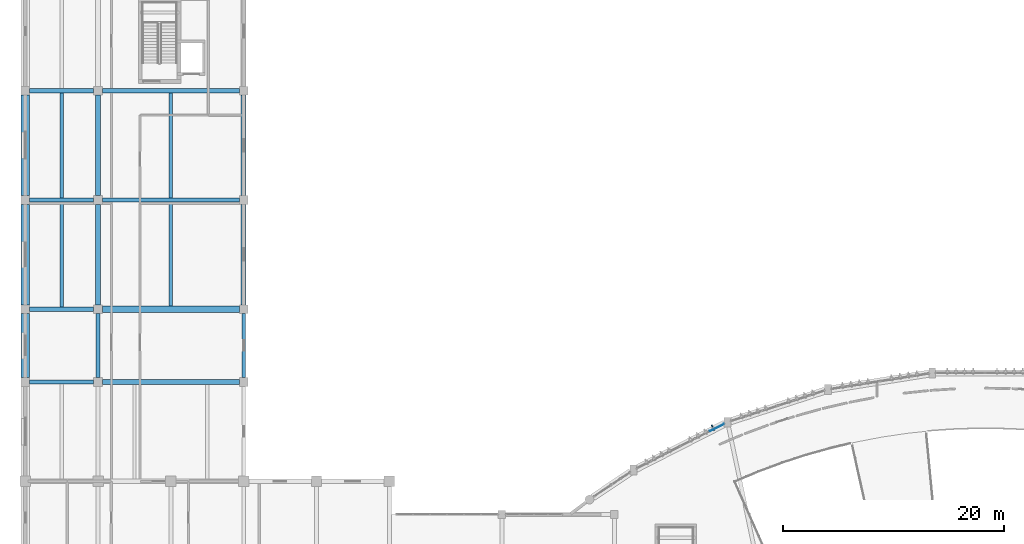
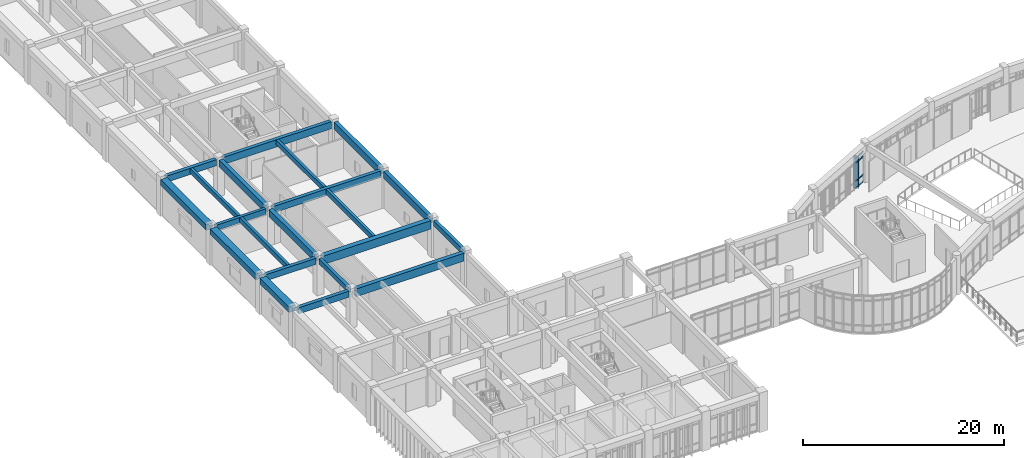
# One storey, part 11 of 65: 21 beams, 5 members, 1 element without a shape of its own.
"""IFC4 building model written with IfcOpenShell, lengths in metres."""

from ifc_helpers import new_model, si_unit, direction, frame, origin, origin_2d, place, context, subcontext, project, spatial, rectangle, extrude, material, layer, layer_set, material_profile, profile_set, type_object, element, aggregate, save


model = new_model("IFC4")

# Units and contexts
model_context = context("Model", 3, precision=1e-05, world=origin(), true_north=direction((0.0, 1.0)))
body_context = subcontext(model_context, "Body", "Model", "MODEL_VIEW")
ifc_project = project(units=[si_unit("LENGTHUNIT", "METRE"), si_unit("AREAUNIT", "SQUARE_METRE"), si_unit("VOLUMEUNIT", "CUBIC_METRE"), si_unit("PLANEANGLEUNIT", "RADIAN"), si_unit("MASSUNIT", "GRAM", prefix="KILO")], contexts=[model_context])

# Site, building, storey
site_placement = place(None, origin())
site = spatial("IfcSite", under=ifc_project, at=site_placement, CompositionType="ELEMENT")
building_placement = place(site_placement, origin())
building = spatial("IfcBuilding", under=site, at=building_placement, Name="Miralva Faculty of Natural Sciences", CompositionType="ELEMENT")
storey_placement = place(building_placement, frame((0.0, 0.0, 10.199951171875)))
storey = spatial("IfcBuildingStorey", under=building, at=storey_placement, Name="L02", CompositionType="ELEMENT", Elevation=10.199951171875)

# Beams
ifc_material_1 = material(Name="Concrete C40/50", Category="concrete")
ifc_material_profile_1 = material_profile(ifc_material_1, rectangle(XDim=0.449951171875, YDim=0.85009765625, at=origin_2d()), Name="RC 450x850")
ifc_profile_set_1 = profile_set([ifc_material_profile_1], Name="Concrete C40/50")
beam_type_1 = type_object("IfcBeamType", Name="BM-B01", PredefinedType="BEAM", material=ifc_profile_set_1)
for number, where, z_axis, x_axis, name in (
    (1, (9.60009765625, 46.0, 4.054931640625), (0.0, 1.0, 0.0), (-1.0, 0.0, 0.0), "Girder NS L02-88"),
    (2, (9.60009765625, 55.89990234375, 4.054931640625), (0.0, 1.0, 0.0), (-1.0, 0.0, 0.0), "Girder NS L02-89"),
    (3, (22.800048828125, 46.0, 4.054931640625), (0.0, 1.0, 0.0), (-1.0, 0.0, 0.0), "Girder NS L02-104"),
    (4, (22.800048828125, 55.89990234375, 4.054931640625), (0.0, 1.0, 0.0), (-1.0, 0.0, 0.0), "Girder NS L02-105"),
):
    element("IfcBeam", number, at=place(storey_placement, frame(where, z_axis=z_axis, x_axis=x_axis)), inside=storey, type_object=beam_type_1, Name=name, PredefinedType="BEAM", context=body_context, shape_type="SweptSolid", body=[
        extrude(rectangle(XDim=0.449951171875, YDim=0.85009765625, at=origin_2d()), origin(), (0.0, 0.0, 1.0), 9.10009765625),
    ])
ifc_material_profile_2 = material_profile(ifc_material_1, rectangle(XDim=0.39990234375, YDim=0.800048828125, at=origin_2d()), Name="RC 400x800")
ifc_profile_set_2 = profile_set([ifc_material_profile_2], Name="Concrete C40/50")
beam_type_2 = type_object("IfcBeamType", Name="BM-B02", PredefinedType="BEAM", material=ifc_profile_set_2)
beam_1_placement = place(storey_placement, frame((10.0, 55.5, 4.080078125), z_axis=(1.0, 0.0, 0.0), x_axis=(0.0, 1.0, 0.0)))
element("IfcBeam", 5, at=beam_1_placement, inside=storey, type_object=beam_type_2, Name="Girder EW L02-46", PredefinedType="BEAM", context=body_context, shape_type="SweptSolid", body=[
    extrude(rectangle(XDim=0.39990234375, YDim=0.800048828125, at=origin_2d()), origin(), (0.0, 0.0, 1.0), 12.39990234375),
])
ifc_material_profile_3 = material_profile(ifc_material_1, rectangle(XDim=0.39990234375, YDim=0.75, at=origin_2d()), Name="RC 400x750")
ifc_profile_set_3 = profile_set([ifc_material_profile_3], Name="Concrete C40/50")
beam_type_3 = type_object("IfcBeamType", Name="BM-B03", PredefinedType="BEAM", material=ifc_profile_set_3)
for number, where, z_axis, x_axis, name in (
    (6, (3.39990234375, 39.0, 4.10498046875), (1.0, 0.0, 0.0), (0.0, 1.0, 0.0), "Girder EW L02-34"),
    (7, (3.39990234375, 45.60009765625, 4.10498046875), (1.0, 0.0, 0.0), (0.0, 1.0, 0.0), "Girder EW L02-40"),
    (8, (3.39990234375, 65.39990234375, 4.10498046875), (1.0, 0.0, 0.0), (0.0, 1.0, 0.0), "Girder EW L02-50"),
):
    element("IfcBeam", number, at=place(storey_placement, frame(where, z_axis=z_axis, x_axis=x_axis)), inside=storey, type_object=beam_type_3, Name=name, PredefinedType="BEAM", context=body_context, shape_type="SweptSolid", body=[
        extrude(rectangle(XDim=0.39990234375, YDim=0.75, at=origin_2d()), origin(), (0.0, 0.0, 1.0), 5.800048828125),
    ])
ifc_material_profile_4 = material_profile(ifc_material_1, rectangle(XDim=0.35009765625, YDim=0.64990234375, at=origin_2d()), Name="RC 350x650")
ifc_profile_set_4 = profile_set([ifc_material_profile_4], Name="Concrete C40/50")
beam_type_4 = type_object("IfcBeamType", Name="BM-B05", PredefinedType="BEAM", material=ifc_profile_set_4)
for number, where, z_axis, x_axis, name in (
    (9, (9.60009765625, 39.39990234375, 4.155029296875), (0.0, 1.0, 0.0), (-1.0, 0.0, 0.0), "Girder NS L02-87"),
    (10, (22.800048828125, 39.39990234375, 4.155029296875), (0.0, 1.0, 0.0), (-1.0, 0.0, 0.0), "Girder NS L02-103"),
):
    element("IfcBeam", number, at=place(storey_placement, frame(where, z_axis=z_axis, x_axis=x_axis)), inside=storey, type_object=beam_type_4, Name=name, PredefinedType="BEAM", context=body_context, shape_type="SweptSolid", body=[
        extrude(rectangle(XDim=0.35009765625, YDim=0.64990234375, at=origin_2d()), origin(), (0.0, 0.0, 1.0), 5.800048828125),
    ])
ifc_material_profile_5 = material_profile(ifc_material_1, rectangle(XDim=0.340087890625, YDim=0.679931640625, at=origin_2d()), Name="RC 340x680")
ifc_profile_set_5 = profile_set([ifc_material_profile_5], Name="Concrete C40/50")
beam_type_5 = type_object("IfcBeamType", Name="BM-BG04", PredefinedType="BEAM", material=ifc_profile_set_5)
beam_2_placement = place(storey_placement, frame((3.39990234375, 55.5, 4.14013671875), z_axis=(1.0, 0.0, 0.0), x_axis=(0.0, 1.0, 0.0)))
element("IfcBeam", 11, at=beam_2_placement, inside=storey, type_object=beam_type_5, Name="Girder EW L02-45", PredefinedType="BEAM", context=body_context, shape_type="SweptSolid", body=[
    extrude(rectangle(XDim=0.340087890625, YDim=0.679931640625, at=origin_2d()), origin(), (0.0, 0.0, 1.0), 5.800048828125),
])
ifc_material_profile_6 = material_profile(ifc_material_1, rectangle(XDim=0.39990234375, YDim=0.8798828125, at=origin_2d()), Name="RC 400x880")
ifc_profile_set_6 = profile_set([ifc_material_profile_6], Name="Concrete C40/50")
beam_type_6 = type_object("IfcBeamType", Name="BM-BG10", PredefinedType="BEAM", material=ifc_profile_set_6)
beam_3_placement = place(storey_placement, frame((10.0, 65.39990234375, 4.0400390625), z_axis=(1.0, 0.0, 0.0), x_axis=(0.0, 1.0, 0.0)))
element("IfcBeam", 12, at=beam_3_placement, inside=storey, type_object=beam_type_6, Name="Girder EW L02-51", PredefinedType="BEAM", context=body_context, shape_type="SweptSolid", body=[
    extrude(rectangle(XDim=0.39990234375, YDim=0.8798828125, at=origin_2d()), origin(), (0.0, 0.0, 1.0), 12.39990234375),
])
ifc_material_profile_7 = material_profile(ifc_material_1, rectangle(XDim=0.4599609375, YDim=0.9599609375, at=origin_2d()), Name="RC 460x960")
ifc_profile_set_7 = profile_set([ifc_material_profile_7], Name="Concrete C40/50")
beam_type_7 = type_object("IfcBeamType", Name="BM-BG16", PredefinedType="BEAM", material=ifc_profile_set_7)
beam_4_placement = place(storey_placement, frame((10.0, 39.0, 4.0), z_axis=(1.0, 0.0, 0.0), x_axis=(0.0, 1.0, 0.0)))
element("IfcBeam", 13, at=beam_4_placement, inside=storey, type_object=beam_type_7, Name="Girder EW L02-35", PredefinedType="BEAM", context=body_context, shape_type="SweptSolid", body=[
    extrude(rectangle(XDim=0.4599609375, YDim=0.9599609375, at=origin_2d()), origin(), (0.0, 0.0, 1.0), 12.39990234375),
])
ifc_material_profile_8 = material_profile(ifc_material_1, rectangle(XDim=0.56005859375, YDim=1.02001953125, at=origin_2d()), Name="RC 560x1020")
ifc_profile_set_8 = profile_set([ifc_material_profile_8], Name="Concrete C40/50")
beam_type_8 = type_object("IfcBeamType", Name="BM-BG22", PredefinedType="BEAM", material=ifc_profile_set_8)
beam_5_placement = place(storey_placement, frame((10.0, 45.60009765625, 3.969970703125), z_axis=(1.0, 0.0, 0.0), x_axis=(0.0, 1.0, 0.0)))
element("IfcBeam", 14, at=beam_5_placement, inside=storey, type_object=beam_type_8, Name="Girder EW L02-41", PredefinedType="BEAM", context=body_context, shape_type="SweptSolid", body=[
    extrude(rectangle(XDim=0.56005859375, YDim=1.02001953125, at=origin_2d()), origin(), (0.0, 0.0, 1.0), 12.39990234375),
])
ifc_material_profile_9 = material_profile(ifc_material_1, rectangle(XDim=0.300048828125, YDim=0.60009765625, at=origin_2d()), Name="RC 300x600")
ifc_profile_set_9 = profile_set([ifc_material_profile_9], Name="Concrete C40/50")
beam_type_9 = type_object("IfcBeamType", Name="BM-J01", PredefinedType="JOIST", material=ifc_profile_set_9)
beam_6_placement = place(storey_placement, frame((6.300048828125, 45.800048828125, 4.179931640625), z_axis=(0.0, 1.0, 0.0), x_axis=(-1.0, 0.0, 0.0)))
element("IfcBeam", 15, at=beam_6_placement, inside=storey, type_object=beam_type_9, Name="Floor joist L02-12", PredefinedType="JOIST", context=body_context, shape_type="SweptSolid", body=[
    extrude(rectangle(XDim=0.300048828125, YDim=0.60009765625, at=origin_2d()), origin(), (0.0, 0.0, 1.0), 9.530029296875),
])
beam_7_placement = place(storey_placement, frame((16.199951171875, 45.8798828125, 4.179931640625), z_axis=(0.0, 1.0, 0.0), x_axis=(-1.0, 0.0, 0.0)))
element("IfcBeam", 16, at=beam_7_placement, inside=storey, type_object=beam_type_9, Name="Floor joist L02-13", PredefinedType="JOIST", context=body_context, shape_type="SweptSolid", body=[
    extrude(rectangle(XDim=0.300048828125, YDim=0.60009765625, at=origin_2d()), origin(), (0.0, 0.0, 1.0), 9.420166015625),
])
beam_8_placement = place(storey_placement, frame((6.300048828125, 55.669921875, 4.179931640625), z_axis=(0.0, 1.0, 0.0), x_axis=(-1.0, 0.0, 0.0)))
element("IfcBeam", 17, at=beam_8_placement, inside=storey, type_object=beam_type_9, Name="Floor joist L02-17", PredefinedType="JOIST", context=body_context, shape_type="SweptSolid", body=[
    extrude(rectangle(XDim=0.300048828125, YDim=0.60009765625, at=origin_2d()), origin(), (0.0, 0.0, 1.0), 9.530029296875),
])
beam_9_placement = place(storey_placement, frame((16.199951171875, 55.699951171875, 4.179931640625), z_axis=(0.0, 1.0, 0.0), x_axis=(-1.0, 0.0, 0.0)))
element("IfcBeam", 18, at=beam_9_placement, inside=storey, type_object=beam_type_9, Name="Floor joist L02-18", PredefinedType="JOIST", context=body_context, shape_type="SweptSolid", body=[
    extrude(rectangle(XDim=0.300048828125, YDim=0.60009765625, at=origin_2d()), origin(), (0.0, 0.0, 1.0), 9.5),
])
ifc_material_profile_10 = material_profile(ifc_material_1, rectangle(XDim=0.75, YDim=0.699951171875, at=origin_2d()), Name="RC 750x700")
ifc_profile_set_10 = profile_set([ifc_material_profile_10], Name="Concrete C40/50")
beam_type_10 = type_object("IfcBeamType", Name="BM-SP01", PredefinedType="SPANDREL", material=ifc_profile_set_10)
beam_10_placement = place(storey_placement, frame((3.0, 39.39990234375, 4.130126953125), z_axis=(0.0, 1.0, 0.0), x_axis=(-1.0, 0.0, 0.0)))
element("IfcBeam", 19, at=beam_10_placement, inside=storey, type_object=beam_type_10, Name="Girder NS L02-74", PredefinedType="SPANDREL", context=body_context, shape_type="SweptSolid", body=[
    extrude(rectangle(XDim=0.75, YDim=0.699951171875, at=origin_2d()), origin(), (0.0, 0.0, 1.0), 5.800048828125),
])
for number, where, z_axis, x_axis, name in (
    (20, (3.0, 46.0, 4.130126953125), (0.0, 1.0, 0.0), (-1.0, 0.0, 0.0), "Girder NS L02-75"),
    (21, (3.0, 55.89990234375, 4.130126953125), (0.0, 1.0, 0.0), (-1.0, 0.0, 0.0), "Girder NS L02-76"),
):
    element("IfcBeam", number, at=place(storey_placement, frame(where, z_axis=z_axis, x_axis=x_axis)), inside=storey, type_object=beam_type_10, Name=name, PredefinedType="SPANDREL", context=body_context, shape_type="SweptSolid", body=[
        extrude(rectangle(XDim=0.75, YDim=0.699951171875, at=origin_2d()), origin(), (0.0, 0.0, 1.0), 9.10009765625),
    ])

# Curtain wall, members
ifc_material_2 = material(Name="Laminated solar-control glass", Category="glass")
ifc_layer = layer(ifc_material_2, 0.179931640625, Name="CW-ARC-L01")
ifc_layer_set = layer_set([ifc_layer], Name="Laminated solar-control glass")
curtain_wall_type = type_object("IfcCurtainWallType", Name="CW-ARC-L01", PredefinedType="USERDEFINED", material=ifc_layer_set)
curtain_wall_placement = place(storey_placement, origin())
curtain_wall = element("IfcCurtainWall", 22, at=curtain_wall_placement, inside=storey, type_object=curtain_wall_type, Name="Curtain wall CW-02 L02-80", ObjectType="UNITISED CURTAIN WALL", PredefinedType="USERDEFINED")
ifc_material_3 = material(Name="Anodised aluminium", Category="aluminium")
ifc_material_profile_11 = material_profile(ifc_material_3, rectangle(XDim=0.06005859375, YDim=0.1201171875, at=origin_2d()), Name="TRANSOM 60x120")
ifc_profile_set_11 = profile_set([ifc_material_profile_11], Name="Anodised aluminium")
member_type_1 = type_object("IfcMemberType", Name="CW-T02", PredefinedType="USERDEFINED", material=ifc_profile_set_11)
member_1_placement = place(storey_placement, frame((65.0751953125, 34.551025390625, 0.030029296875), z_axis=(0.891004754487, 0.453993972958, 0.0), x_axis=(-0.453993972958, 0.891004754487, 0.0)))
member_1 = element("IfcMember", 23, at=member_1_placement, type_object=member_type_1, Name="CW-02 transom 3.1", ObjectType="TRANSOM", PredefinedType="USERDEFINED", context=body_context, shape_type="SweptSolid", body=[
    extrude(rectangle(XDim=0.06005859375, YDim=0.1201171875, at=origin_2d()), origin(), (0.0, 0.0, 1.0), 1.39453125),
])
member_2_placement = place(storey_placement, frame((65.0751953125, 34.551025390625, 0.900146484375), z_axis=(0.891004754487, 0.453993972958, 0.0), x_axis=(-0.453993972958, 0.891004754487, 0.0)))
member_2 = element("IfcMember", 24, at=member_2_placement, type_object=member_type_1, Name="CW-02 transom 3.2", ObjectType="TRANSOM", PredefinedType="USERDEFINED", context=body_context, shape_type="SweptSolid", body=[
    extrude(rectangle(XDim=0.06005859375, YDim=0.1201171875, at=origin_2d()), origin(), (0.0, 0.0, 1.0), 1.39453125),
])
member_3_placement = place(storey_placement, frame((65.0751953125, 34.551025390625, 3.10498046875), z_axis=(0.891004754487, 0.453993972958, 0.0), x_axis=(-0.453993972958, 0.891004754487, 0.0)))
member_3 = element("IfcMember", 25, at=member_3_placement, type_object=member_type_1, Name="CW-02 transom 3.3", ObjectType="TRANSOM", PredefinedType="USERDEFINED", context=body_context, shape_type="SweptSolid", body=[
    extrude(rectangle(XDim=0.06005859375, YDim=0.1201171875, at=origin_2d()), origin(), (0.0, 0.0, 1.0), 1.39453125),
])
member_4_placement = place(storey_placement, frame((65.0751953125, 34.551025390625, 3.675048828125), z_axis=(0.891004754487, 0.453993972958, 0.0), x_axis=(-0.453993972958, 0.891004754487, 0.0)))
member_4 = element("IfcMember", 26, at=member_4_placement, type_object=member_type_1, Name="CW-02 transom 3.4", ObjectType="TRANSOM", PredefinedType="USERDEFINED", context=body_context, shape_type="SweptSolid", body=[
    extrude(rectangle(XDim=0.06005859375, YDim=0.1201171875, at=origin_2d()), origin(), (0.0, 0.0, 1.0), 1.39453125),
])
aggregate(curtain_wall, [member_1, member_2, member_3, member_4])

# Member
ifc_material_profile_12 = material_profile(ifc_material_3, rectangle(XDim=0.080078125, YDim=0.550048828125, at=origin_2d()), Name="FIN 550x80")
ifc_profile_set_12 = profile_set([ifc_material_profile_12], Name="Anodised aluminium")
member_type_2 = type_object("IfcMemberType", Name="MEM-SF01", PredefinedType="USERDEFINED", material=ifc_profile_set_12)
member_5_placement = place(storey_placement, frame((65.336669921875, 34.86376953125, -0.239990234375), z_axis=(0.0, 0.0, 1.0), x_axis=(-0.891006524188, -0.45399049974, 0.0)))
element("IfcMember", 27, at=member_5_placement, inside=storey, type_object=member_type_2, Name="Solar shading fin SF-01 L02-44", ObjectType="SUNSHADE", PredefinedType="USERDEFINED", context=body_context, shape_type="SweptSolid", body=[
    extrude(rectangle(XDim=0.080078125, YDim=0.550048828125, at=origin_2d()), origin(), (0.0, 0.0, 1.0), 3.945068359375),
])

save(model, "model.ifc")
